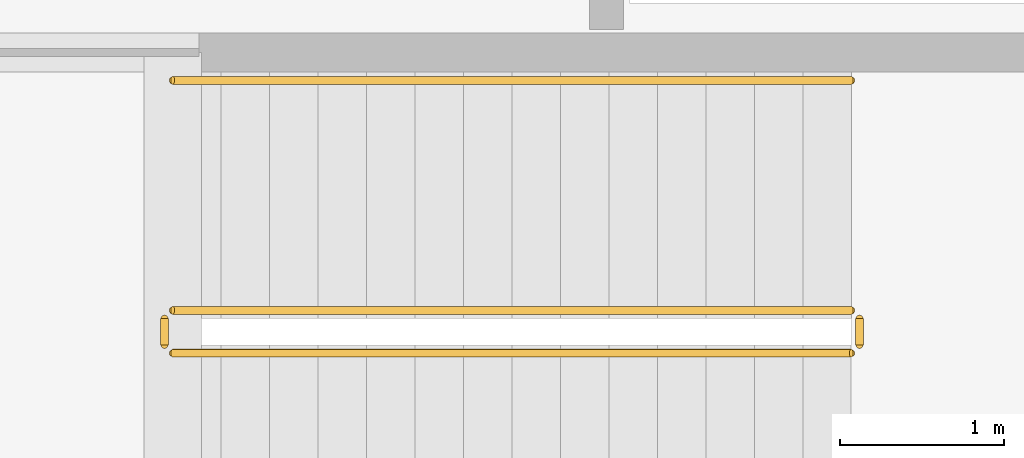
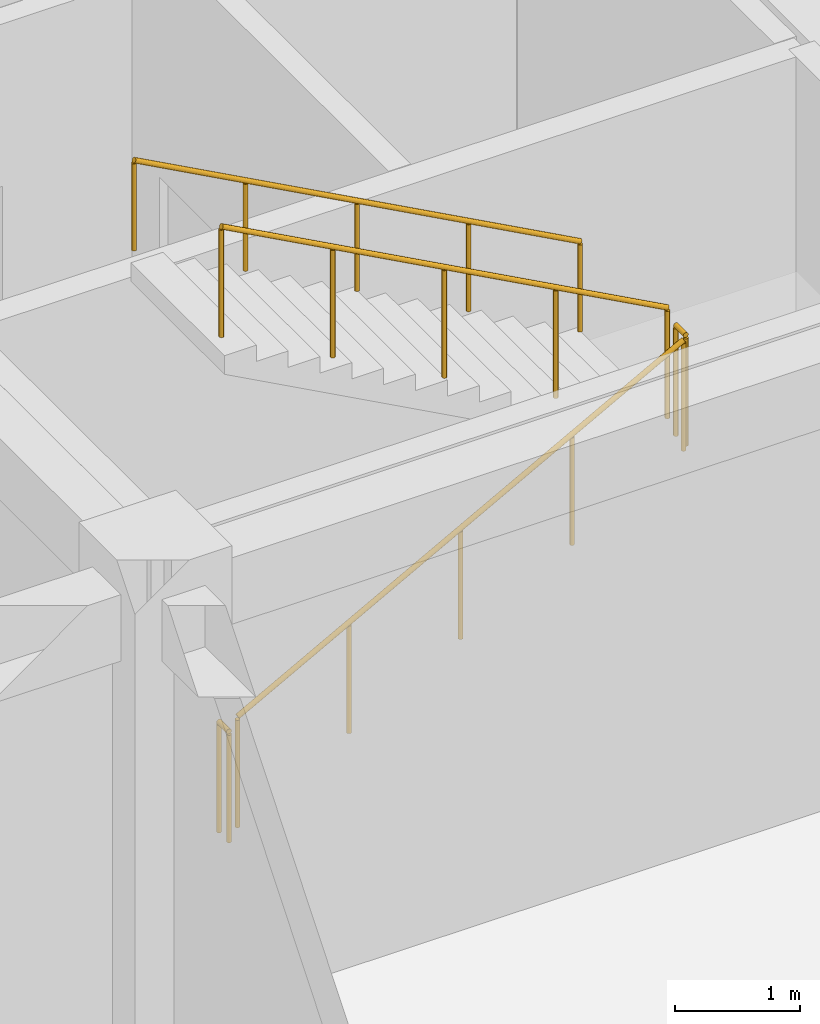
# One storey, part 130 of 138: 5 railings.
"""IFC4 building model written with IfcOpenShell, lengths in metres."""

from ifc_helpers import new_model, si_unit, direction, frame, origin, origin_2d, place, context, subcontext, project, spatial, circle, extrude, material, type_object, element, save


model = new_model("IFC4")

# Units and contexts
model_context = context("Model", 3, precision=1e-05, world=origin(), true_north=direction((0.0, 1.0)))
body_context = subcontext(model_context, "Body", "Model", "MODEL_VIEW")
ifc_project = project(units=[si_unit("LENGTHUNIT", "METRE"), si_unit("AREAUNIT", "SQUARE_METRE"), si_unit("VOLUMEUNIT", "CUBIC_METRE"), si_unit("PLANEANGLEUNIT", "RADIAN"), si_unit("MASSUNIT", "GRAM", prefix="KILO")], contexts=[model_context])

# Site, building, storey
site_placement = place(None, origin())
site = spatial("IfcSite", under=ifc_project, at=site_placement, CompositionType="ELEMENT")
building_placement = place(site_placement, origin())
building = spatial("IfcBuilding", under=site, at=building_placement, Name="Bramfleet General Hospital", CompositionType="ELEMENT")
storey_placement = place(building_placement, origin())
storey = spatial("IfcBuildingStorey", under=building, at=storey_placement, Name="L00", CompositionType="ELEMENT", Elevation=0.0)

# Railings
ifc_material_1 = material(Name="Powder-coated steel stair balustrade", Category="steel")
railing_type_1 = type_object("IfcRailingType", Name="RAIL-ST-GUARD", PredefinedType="GUARDRAIL", material=ifc_material_1)
railing_1_placement = place(storey_placement, frame((119.43994140625, 94.27001953125, 0.159912109375)))
element("IfcRailing", 1, at=railing_1_placement, inside=storey, type_object=railing_type_1, Name="L00 ST-C6 stair guard 1", PredefinedType="GUARDRAIL", context=body_context, shape_type="SweptSolid", body=[
    extrude(circle(Radius=0.02392578125, at=origin_2d()), frame((0.0, 0.0, 1.076171875), z_axis=(0.879038868435, 0.0, 0.476750110415), x_axis=(0.0, 1.0, 0.0)), (0.0, 0.0, 1.0), 4.698486328125),
    extrude(circle(Radius=0.02099609375, at=origin_2d()), origin(), (0.0, 0.0, 1.0), 1.052001953125),
    extrude(circle(Radius=0.02099609375, at=origin_2d()), frame((1.032470703125, 0.0, 0.56005859375)), (0.0, 0.0, 1.0), 1.052001953125),
    extrude(circle(Radius=0.02099609375, at=origin_2d()), frame((2.06494140625, 0.0, 1.1201171875)), (0.0, 0.0, 1.0), 1.052001953125),
    extrude(circle(Radius=0.02099609375, at=origin_2d()), frame((3.09765625, 0.0, 1.679931640625)), (0.0, 0.0, 1.0), 1.052001953125),
    extrude(circle(Radius=0.02099609375, at=origin_2d()), frame((4.130126953125, 0.0, 2.239990234375)), (0.0, 0.0, 1.0), 1.052001953125),
])
railing_2_placement = place(storey_placement, frame((123.6201171875, 94.320068359375, 2.39990234375)))
element("IfcRailing", 2, at=railing_2_placement, inside=storey, type_object=railing_type_1, Name="L00 ST-C6 stair guard 2", PredefinedType="GUARDRAIL", context=body_context, shape_type="SweptSolid", body=[
    extrude(circle(Radius=0.02392578125, at=origin_2d()), frame((0.0, 0.0, 1.076171875), z_axis=(0.0, 1.0, 0.0), x_axis=(-1.0, 0.0, 0.0)), (0.0, 0.0, 1.0), 0.159912109375),
    extrude(circle(Radius=0.02099609375, at=origin_2d()), origin(), (0.0, 0.0, 1.0), 1.052001953125),
    extrude(circle(Radius=0.02099609375, at=origin_2d()), frame((0.0, 0.159912109375, 0.0)), (0.0, 0.0, 1.0), 1.052001953125),
])
railing_3_placement = place(storey_placement, frame((123.570068359375, 94.530029296875, 2.56005859375)))
element("IfcRailing", 3, at=railing_3_placement, inside=storey, type_object=railing_type_1, Name="L00 ST-C6 stair guard 3", PredefinedType="GUARDRAIL", context=body_context, shape_type="SweptSolid", body=[
    extrude(circle(Radius=0.02392578125, at=origin_2d()), frame((0.0, 0.0, 1.076171875), z_axis=(-0.879038868435, 0.0, 0.476750110415), x_axis=(0.0, -1.0, 0.0)), (0.0, 0.0, 1.0), 4.698486328125),
    extrude(circle(Radius=0.02099609375, at=origin_2d()), origin(), (0.0, 0.0, 1.0), 1.052001953125),
    extrude(circle(Radius=0.02099609375, at=origin_2d()), frame((-1.032470703125, 0.0, 0.56005859375)), (0.0, 0.0, 1.0), 1.052001953125),
    extrude(circle(Radius=0.02099609375, at=origin_2d()), frame((-2.06494140625, 0.0, 1.1201171875)), (0.0, 0.0, 1.0), 1.052001953125),
    extrude(circle(Radius=0.02099609375, at=origin_2d()), frame((-3.09765625, 0.0, 1.679931640625)), (0.0, 0.0, 1.0), 1.052001953125),
    extrude(circle(Radius=0.02099609375, at=origin_2d()), frame((-4.130126953125, 0.0, 2.239990234375)), (0.0, 0.0, 1.0), 1.052001953125),
])
railing_4_placement = place(storey_placement, frame((119.389892578125, 94.320068359375, 0.0)))
element("IfcRailing", 4, at=railing_4_placement, inside=storey, type_object=railing_type_1, Name="L00 ST-C6 stair guard 4", PredefinedType="GUARDRAIL", context=body_context, shape_type="SweptSolid", body=[
    extrude(circle(Radius=0.02392578125, at=origin_2d()), frame((0.0, 0.0, 1.076171875), z_axis=(0.0, 1.0, 0.0), x_axis=(-1.0, 0.0, 0.0)), (0.0, 0.0, 1.0), 0.159912109375),
    extrude(circle(Radius=0.02099609375, at=origin_2d()), origin(), (0.0, 0.0, 1.0), 1.052001953125),
    extrude(circle(Radius=0.02099609375, at=origin_2d()), frame((0.0, 0.159912109375, 0.0)), (0.0, 0.0, 1.0), 1.052001953125),
])
ifc_material_2 = material(Name="Stainless steel 1.4301 stair handrail", Category="steel")
railing_type_2 = type_object("IfcRailingType", Name="RAIL-ST-HND", PredefinedType="HANDRAIL", material=ifc_material_2)
railing_5_placement = place(storey_placement, frame((123.570068359375, 95.929931640625, 2.56005859375)))
element("IfcRailing", 5, at=railing_5_placement, inside=storey, type_object=railing_type_2, Name="L00 ST-C6 stair handrail 2", PredefinedType="HANDRAIL", context=body_context, shape_type="SweptSolid", body=[
    extrude(circle(Radius=0.02392578125, at=origin_2d()), frame((0.0, 0.0, 0.8759765625), z_axis=(-0.879038868435, 0.0, 0.476750110415), x_axis=(0.0, -1.0, 0.0)), (0.0, 0.0, 1.0), 4.698486328125),
    extrude(circle(Radius=0.02099609375, at=origin_2d()), origin(), (0.0, 0.0, 1.0), 0.851806640625),
    extrude(circle(Radius=0.02099609375, at=origin_2d()), frame((-1.032470703125, 0.0, 0.56005859375)), (0.0, 0.0, 1.0), 0.851806640625),
    extrude(circle(Radius=0.02099609375, at=origin_2d()), frame((-2.06494140625, 0.0, 1.1201171875)), (0.0, 0.0, 1.0), 0.851806640625),
    extrude(circle(Radius=0.02099609375, at=origin_2d()), frame((-3.09765625, 0.0, 1.679931640625)), (0.0, 0.0, 1.0), 0.851806640625),
    extrude(circle(Radius=0.02099609375, at=origin_2d()), frame((-4.130126953125, 0.0, 2.239990234375)), (0.0, 0.0, 1.0), 0.851806640625),
])

save(model, "model.ifc")
